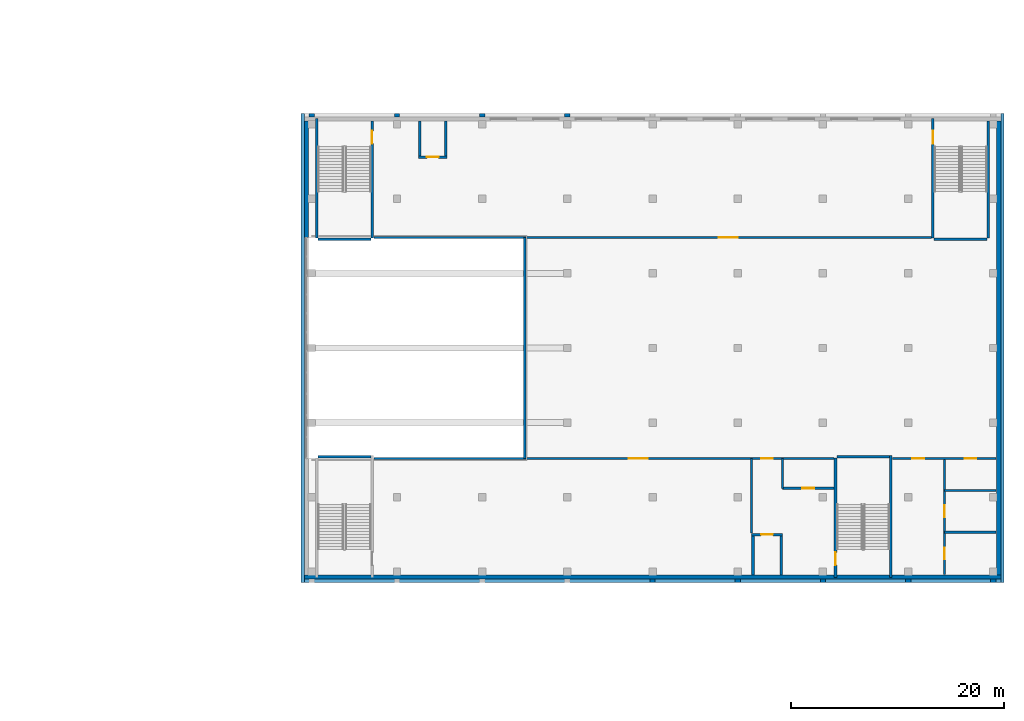
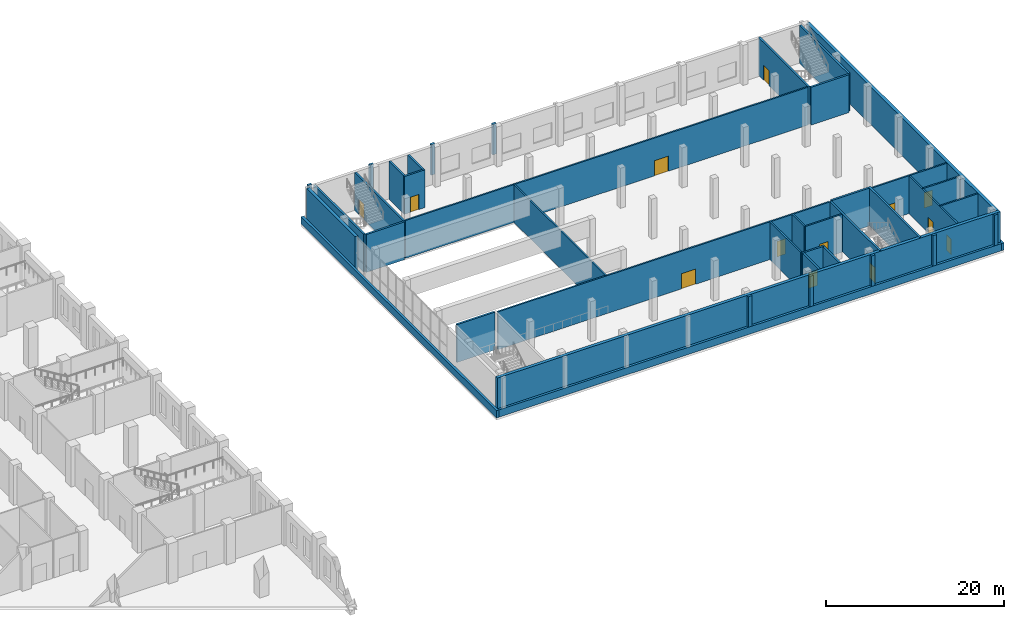
# One storey, part 14 of 35: 41 walls, 13 doors, 13 openings.
"""IFC4 building model written with IfcOpenShell, lengths in metres."""

import ifcopenshell
import ifcopenshell.guid

model = None  # the IFC model being written
_history = None  # IfcOwnerHistory: only IFC2X3 demands one
_inside = {}  # id of a spatial element -> (the spatial element, [elements in it])
_under = {}  # id of a project, library or spatial element -> (it, [spatial elements below it])
_declared = {}  # id of a project -> (the project, [libraries it declares])
_typed = {}  # id of a type object -> (the type object, [elements of that type])
_made_of = {}  # id of a material, layer set ... -> (it, [elements and type objects made of it])


def new_model(schema):
    """Start an empty IFC model of exactly this schema.

    Asked for "IFC4X3", IfcOpenShell would pick the latest addendum, in which some entities
    have other attributes; the version numbers below select the first issue.
    IFC2X3 requires an IfcOwnerHistory on every rooted entity: one is made here for all.
    """
    global model, _history
    if schema == "IFC4X3":
        model = ifcopenshell.file(schema_version=(4, 3, 0, 0))
    else:
        model = ifcopenshell.file(schema=schema)
    _inside.clear()
    _under.clear()
    _declared.clear()
    _typed.clear()
    _made_of.clear()
    _history = None
    if model.schema == "IFC2X3":
        org = make("IfcOrganization", Name="unknown")
        user = make(
            "IfcPersonAndOrganization",
            ThePerson=make("IfcPerson", FamilyName="unknown"),
            TheOrganization=org,
        )
        app = make(
            "IfcApplication",
            ApplicationDeveloper=org,
            Version="unknown",
            ApplicationFullName="unknown",
            ApplicationIdentifier="unknown",
        )
        _history = make(
            "IfcOwnerHistory",
            OwningUser=user,
            OwningApplication=app,
            ChangeAction="ADDED",
            CreationDate=0,
        )
    return model


def make(cls, **values):
    """One entity of the class cls with the attributes given. An attribute that is None is left unset."""
    return model.create_entity(
        cls, **{name: value for name, value in values.items() if value is not None}
    )


def rooted(cls, **values):
    """An entity with a GlobalId (a new one), such as an element, a storey or a relation."""
    return make(cls, GlobalId=ifcopenshell.guid.new(), OwnerHistory=_history, **values)


def si_unit(unit_type, name, prefix=None):
    """IfcSIUnit, for example si_unit("LENGTHUNIT", "METRE", prefix="MILLI")."""
    return make("IfcSIUnit", UnitType=unit_type, Prefix=prefix, Name=name)


def assignment(units):
    """IfcUnitAssignment: the units of a project."""
    return None if units is None else make("IfcUnitAssignment", Units=units)


def point(xyz):
    """IfcCartesianPoint."""
    return None if xyz is None else make("IfcCartesianPoint", Coordinates=xyz)


def direction(xyz):
    """IfcDirection."""
    return None if xyz is None else make("IfcDirection", DirectionRatios=xyz)


def frame(location, z_axis=None, x_axis=None):
    """IfcAxis2Placement3D, a coordinate frame: its origin and axes. An axis left out is left unset."""
    return make(
        "IfcAxis2Placement3D",
        Location=point(location),
        Axis=direction(z_axis),
        RefDirection=direction(x_axis),
    )


def frame_2d(location, x_axis=None):
    """IfcAxis2Placement2D, a coordinate frame in the plane: its origin and x axis."""
    return make(
        "IfcAxis2Placement2D", Location=point(location), RefDirection=direction(x_axis)
    )


def origin():
    """The frame at (0, 0, 0) with its axes left unset."""
    return frame((0.0, 0.0, 0.0))


def place(relative_to, where):
    """IfcLocalPlacement: puts the frame where relative to a parent placement (None: the world)."""
    return make(
        "IfcLocalPlacement", PlacementRelTo=relative_to, RelativePlacement=where
    )


def context(
    kind, dimensions, precision=None, world=None, true_north=None, identifier=None
):
    """IfcGeometricRepresentationContext, for example the 3D "Model" context."""
    return make(
        "IfcGeometricRepresentationContext",
        ContextIdentifier=identifier,
        ContextType=kind,
        CoordinateSpaceDimension=dimensions,
        Precision=precision,
        WorldCoordinateSystem=world,
        TrueNorth=true_north,
    )


def subcontext(parent, identifier, kind, view, scale=None):
    """IfcGeometricRepresentationSubContext, for example "Body" below "Model"."""
    return make(
        "IfcGeometricRepresentationSubContext",
        ContextIdentifier=identifier,
        ContextType=kind,
        ParentContext=parent,
        TargetScale=scale,
        TargetView=view,
    )


def project(units=None, contexts=None):
    """IfcProject with its units and contexts."""
    return rooted(
        "IfcProject",
        Name="project",
        RepresentationContexts=contexts,
        UnitsInContext=assignment(units),
    )


def spatial(cls, under=None, at=None, **own):
    """A site, building, storey or space (cls), placed at a placement, below another one or the project."""
    s = rooted(cls, ObjectPlacement=at, **own)
    if under is not None:
        _under.setdefault(under.id(), (under, []))[1].append(s)
    return s


def profile(cls, at=None, kind="AREA", **sizes):
    """A parametric profile (cls). Its sizes go by their IFC names, for example OverallWidth=200.0."""
    return make(cls, ProfileType=kind, Position=at, **sizes)


def rectangle(**sizes):
    """IfcRectangleProfileDef."""
    return profile("IfcRectangleProfileDef", **sizes)


def extrude(swept, where, along, depth):
    """IfcExtrudedAreaSolid: the profile swept, set in the frame where, extruded along a direction by depth."""
    return make(
        "IfcExtrudedAreaSolid",
        SweptArea=swept,
        Position=where,
        ExtrudedDirection=direction(along),
        Depth=depth,
    )


def shape(context_of_items, identifier, shape_type, items):
    """IfcShapeRepresentation: the items that make up one representation, for example the "Body"."""
    return make(
        "IfcShapeRepresentation",
        ContextOfItems=context_of_items,
        RepresentationIdentifier=identifier,
        RepresentationType=shape_type,
        Items=items,
    )


def material(Name=None, Category=None):
    """IfcMaterial."""
    return make("IfcMaterial", Name=Name, Category=Category)


def layer(
    of_material, thickness, ventilated=None, Name=None, Category=None, Priority=None
):
    """IfcMaterialLayer: one layer of a wall or slab, of a material (None: an air gap)."""
    return make(
        "IfcMaterialLayer",
        Material=of_material,
        LayerThickness=thickness,
        IsVentilated=ventilated,
        Name=Name,
        Category=Category,
        Priority=Priority,
    )


def layer_set(layers, Name=None):
    """IfcMaterialLayerSet."""
    return make("IfcMaterialLayerSet", MaterialLayers=layers, LayerSetName=Name)


def made_of(thing, what):
    """Note that an element or type object is made of a material, layer set ...; save() writes the relation."""
    if what is not None:
        _made_of.setdefault(what.id(), (what, []))[1].append(thing)
    return thing


def type_object(cls, material=None, **own):
    """A type object (cls), such as IfcWallType, which elements share."""
    return made_of(rooted(cls, **own), material)


def element(
    cls,
    number,
    at=None,
    inside=None,
    cuts=None,
    type_object=None,
    material=None,
    context=None,
    identifier="Body",
    shape_type=None,
    held_by="IfcProductDefinitionShape",
    body=None,
    shapes=None,
    **own,
):
    """One element of the class cls, such as IfcWall. Its Tag is "e" and its number.

    at: its placement. inside: the storey or other place that contains it. cuts: it is an
    opening in that element (IfcRelVoidsElement). A single representation is given by context,
    identifier, shape_type and body (its items); several are given by shapes. held_by: the class
    of the entity that holds the representations. save() writes the other relations.
    """
    e = rooted(cls, Tag="e%d" % number, ObjectPlacement=at, **own)
    if body is not None:
        shapes = [shape(context, identifier, shape_type, body)]
    if shapes is not None:
        e.Representation = make(held_by, Representations=shapes)
    if inside is not None:
        _inside.setdefault(inside.id(), (inside, []))[1].append(e)
    if cuts is not None:
        rooted(
            "IfcRelVoidsElement", RelatingBuildingElement=cuts, RelatedOpeningElement=e
        )
    if type_object is not None:
        _typed.setdefault(type_object.id(), (type_object, []))[1].append(e)
    return made_of(e, material)


def fill(opening, filler):
    """IfcRelFillsElement: the door or window that sits in an opening."""
    return rooted(
        "IfcRelFillsElement",
        RelatingOpeningElement=opening,
        RelatedBuildingElement=filler,
    )


def aggregate(whole, parts):
    """IfcRelAggregates: a whole, such as a stair, and the parts it consists of."""
    return rooted("IfcRelAggregates", RelatingObject=whole, RelatedObjects=parts)


def save(model, path):
    """Write the relations noted so far, then the file.

    IfcRelAggregates (storeys below a building ...), IfcRelContainedInSpatialStructure (elements
    in a storey), IfcRelDefinesByType, IfcRelAssociatesMaterial and IfcRelDeclares: one each for
    every whole, place, type object, material and project.
    """
    for whole, parts in _under.values():
        aggregate(whole, parts)
    for where, things in _inside.values():
        rooted(
            "IfcRelContainedInSpatialStructure",
            RelatedElements=things,
            RelatingStructure=where,
        )
    for kind, things in _typed.values():
        rooted("IfcRelDefinesByType", RelatedObjects=things, RelatingType=kind)
    for what, things in _made_of.values():
        rooted("IfcRelAssociatesMaterial", RelatedObjects=things, RelatingMaterial=what)
    for by, libraries in _declared.values():
        rooted("IfcRelDeclares", RelatingContext=by, RelatedDefinitions=libraries)
    model.write(path)


model = new_model("IFC4")

# Units and contexts
model_context = context("Model", 3, precision=1e-05, world=origin(), true_north=direction((0.0, 1.0)))
body_context = subcontext(model_context, "Body", "Model", "MODEL_VIEW")
ifc_project = project(units=[si_unit("LENGTHUNIT", "METRE"), si_unit("AREAUNIT", "SQUARE_METRE"), si_unit("VOLUMEUNIT", "CUBIC_METRE"), si_unit("PLANEANGLEUNIT", "RADIAN"), si_unit("MASSUNIT", "GRAM", prefix="KILO")], contexts=[model_context])

# Site, building, storey
site_placement = place(None, origin())
site = spatial("IfcSite", under=ifc_project, at=site_placement, CompositionType="ELEMENT")
building_placement = place(site_placement, origin())
building = spatial("IfcBuilding", under=site, at=building_placement, Name="Tamorin Gate", CompositionType="ELEMENT")
storey_placement = place(building_placement, frame((0.0, 0.0, 8.0)))
storey = spatial("IfcBuildingStorey", under=building, at=storey_placement, Name="L01", CompositionType="ELEMENT", Elevation=8.0)

# Wall, openings, doors
ifc_material_1 = material(Name="Dense blockwork, plastered", Category="masonry")
ifc_layer_1 = layer(ifc_material_1, 0.199951171875)
ifc_layer_set_1 = layer_set([ifc_layer_1], Name="Blockwork partition 200")
wall_type_1 = type_object("IfcWallType", Name="Blockwork partition 200", PredefinedType="PARTITIONING", material=ifc_layer_set_1)
wall_1_placement = place(storey_placement, frame((151.530029296875, 66.330078125, 0.0), z_axis=(0.0, 0.0, 1.0), x_axis=(1.0, 0.0, 0.0)))
wall_1 = element("IfcWall", 1, at=wall_1_placement, inside=storey, type_object=wall_type_1, Name="Partition", PredefinedType="PARTITIONING", context=body_context, shape_type="SweptSolid", body=[
    extrude(rectangle(XDim=43.18994140625, YDim=0.199951171875, at=frame_2d((21.594970703125, 0.0))), origin(), (0.0, 0.0, 1.0), 5.199951171875),
])
opening_1_placement = place(wall_1_placement, frame((23.919921875, 0.0, 0.0)))
opening_1 = element("IfcOpeningElement", 2, at=opening_1_placement, cuts=wall_1, Name="Opening DM69", PredefinedType="OPENING", context=body_context, shape_type="SweptSolid", body=[
    extrude(rectangle(XDim=1.800048828125, YDim=2.10009765625, at=frame_2d((0.89990234375, 1.050048828125))), frame((0.0, 0.10986328125, 0.0), z_axis=(0.0, -1.0, 0.0), x_axis=(1.0, 0.0, 0.0)), (0.0, 0.0, 1.0), 0.219970703125),
])
opening_2_placement = place(wall_1_placement, frame((36.3701171875, 0.0, 0.0)))
opening_2 = element("IfcOpeningElement", 3, at=opening_2_placement, cuts=wall_1, Name="Opening DM71", PredefinedType="OPENING", context=body_context, shape_type="SweptSolid", body=[
    extrude(rectangle(XDim=1.10009765625, YDim=2.10009765625, at=frame_2d((0.550048828125, 1.050048828125))), frame((0.0, 0.10986328125, 0.0), z_axis=(0.0, -1.0, 0.0), x_axis=(1.0, 0.0, 0.0)), (0.0, 0.0, 1.0), 0.219970703125),
])
ifc_material_2 = material(Name="Steel, painted", Category="steel")
door_type_1 = type_object("IfcDoorType", Name="Museum door 1100x2100", OperationType="SINGLE_SWING_LEFT", PredefinedType="DOOR", material=ifc_material_2)
door_1_placement = place(opening_2_placement, origin())
door_1 = element("IfcDoor", 4, at=door_1_placement, inside=storey, type_object=door_type_1, Name="Door Goods lobby", OperationType="SINGLE_SWING_RIGHT", OverallHeight=2.10009765625, OverallWidth=1.10009765625, PredefinedType="DOOR", context=body_context, shape_type="SweptSolid", body=[
    extrude(rectangle(XDim=1.10009765625, YDim=2.10009765625, at=frame_2d((0.550048828125, 1.050048828125))), frame((0.0, 0.02490234375, 0.0), z_axis=(0.0, -1.0, 0.0), x_axis=(1.0, 0.0, 0.0)), (0.0, 0.0, 1.0), 0.050048828125),
])
fill(opening_2, door_1)
door_type_2 = type_object("IfcDoorType", Name="Museum double door 1800x2100", OperationType="DOUBLE_DOOR_SINGLE_SWING", PredefinedType="DOOR", material=ifc_material_2)
door_2_placement = place(opening_1_placement, origin())
door_2 = element("IfcDoor", 5, at=door_2_placement, inside=storey, type_object=door_type_2, Name="Door Permanent gallery one introduction", OperationType="DOUBLE_DOOR_SINGLE_SWING", OverallHeight=2.10009765625, OverallWidth=1.800048828125, PredefinedType="DOOR", context=body_context, shape_type="SweptSolid", body=[
    extrude(rectangle(XDim=1.800048828125, YDim=2.10009765625, at=frame_2d((0.89990234375, 1.050048828125))), frame((0.0, 0.02490234375, 0.0), z_axis=(0.0, -1.0, 0.0), x_axis=(1.0, 0.0, 0.0)), (0.0, 0.0, 1.0), 0.050048828125),
])
fill(opening_1, door_2)

wall_2_placement = place(storey_placement, frame((200.22998046875, 66.330078125, 0.0), z_axis=(0.0, 0.0, 1.0), x_axis=(1.0, 0.0, 0.0)))
wall_2 = element("IfcWall", 6, at=wall_2_placement, inside=storey, type_object=wall_type_1, Name="Partition", PredefinedType="PARTITIONING", context=body_context, shape_type="SweptSolid", body=[
    extrude(rectangle(XDim=9.719970703125, YDim=0.199951171875, at=frame_2d((4.85986328125, 0.0))), origin(), (0.0, 0.0, 1.0), 5.199951171875),
])
opening_3_placement = place(wall_2_placement, frame((1.8701171875, 0.0, 0.0)))
opening_3 = element("IfcOpeningElement", 7, at=opening_3_placement, cuts=wall_2, Name="Opening DM72", PredefinedType="OPENING", context=body_context, shape_type="SweptSolid", body=[
    extrude(rectangle(XDim=1.10009765625, YDim=2.10009765625, at=frame_2d((0.550048828125, 1.050048828125))), frame((0.0, 0.10986328125, 0.0), z_axis=(0.0, -1.0, 0.0), x_axis=(1.0, 0.0, 0.0)), (0.0, 0.0, 1.0), 0.219970703125),
])
opening_4_placement = place(wall_2_placement, frame((6.77001953125, 0.0, 0.0)))
opening_4 = element("IfcOpeningElement", 8, at=opening_4_placement, cuts=wall_2, Name="Opening DM73", PredefinedType="OPENING", context=body_context, shape_type="SweptSolid", body=[
    extrude(rectangle(XDim=1.10009765625, YDim=2.10009765625, at=frame_2d((0.550048828125, 1.050048828125))), frame((0.0, 0.10986328125, 0.0), z_axis=(0.0, -1.0, 0.0), x_axis=(1.0, 0.0, 0.0)), (0.0, 0.0, 1.0), 0.219970703125),
])
door_3_placement = place(opening_3_placement, origin())
door_3 = element("IfcDoor", 9, at=door_3_placement, inside=storey, type_object=door_type_1, Name="Door Public WC", OperationType="SINGLE_SWING_LEFT", OverallHeight=2.10009765625, OverallWidth=1.10009765625, PredefinedType="DOOR", context=body_context, shape_type="SweptSolid", body=[
    extrude(rectangle(XDim=1.10009765625, YDim=2.10009765625, at=frame_2d((0.550048828125, 1.050048828125))), frame((0.0, 0.02490234375, 0.0), z_axis=(0.0, -1.0, 0.0), x_axis=(1.0, 0.0, 0.0)), (0.0, 0.0, 1.0), 0.050048828125),
])
fill(opening_3, door_3)
door_4_placement = place(opening_4_placement, origin())
door_4 = element("IfcDoor", 10, at=door_4_placement, inside=storey, type_object=door_type_1, Name="Door Accessible WC", OperationType="SINGLE_SWING_RIGHT", OverallHeight=2.10009765625, OverallWidth=1.10009765625, PredefinedType="DOOR", context=body_context, shape_type="SweptSolid", body=[
    extrude(rectangle(XDim=1.10009765625, YDim=2.10009765625, at=frame_2d((0.550048828125, 1.050048828125))), frame((0.0, 0.02490234375, 0.0), z_axis=(0.0, -1.0, 0.0), x_axis=(1.0, 0.0, 0.0)), (0.0, 0.0, 1.0), 0.050048828125),
])
fill(opening_4, door_4)

# Wall, opening, door
wall_3_placement = place(storey_placement, frame((189.89990234375, 63.530029296875, 0.0), z_axis=(0.0, 0.0, 1.0), x_axis=(1.0, 0.0, 0.0)))
wall_3 = element("IfcWall", 11, at=wall_3_placement, inside=storey, type_object=wall_type_1, Name="Partition", PredefinedType="PARTITIONING", context=body_context, shape_type="SweptSolid", body=[
    extrude(rectangle(XDim=4.820068359375, YDim=0.199951171875, at=frame_2d((2.41015625, 0.0))), origin(), (0.0, 0.0, 1.0), 5.199951171875),
])
opening_5_placement = place(wall_3_placement, frame((1.875, 0.0, 0.0)))
opening_5 = element("IfcOpeningElement", 12, at=opening_5_placement, cuts=wall_3, Name="Opening DM70", PredefinedType="OPENING", context=body_context, shape_type="SweptSolid", body=[
    extrude(rectangle(XDim=1.10009765625, YDim=2.10009765625, at=frame_2d((0.550048828125, 1.050048828125))), frame((0.0, 0.10986328125, 0.0), z_axis=(0.0, -1.0, 0.0), x_axis=(1.0, 0.0, 0.0)), (0.0, 0.0, 1.0), 0.219970703125),
])
door_5_placement = place(opening_5_placement, origin())
door_5 = element("IfcDoor", 13, at=door_5_placement, inside=storey, type_object=door_type_1, Name="Door Cleaner's store", OperationType="SINGLE_SWING_LEFT", OverallHeight=2.10009765625, OverallWidth=1.10009765625, PredefinedType="DOOR", context=body_context, shape_type="SweptSolid", body=[
    extrude(rectangle(XDim=1.10009765625, YDim=2.10009765625, at=frame_2d((0.550048828125, 1.050048828125))), frame((0.0, 0.02490234375, 0.0), z_axis=(0.0, -1.0, 0.0), x_axis=(1.0, 0.0, 0.0)), (0.0, 0.0, 1.0), 0.050048828125),
])
fill(opening_5, door_5)

# Walls
for number, where, z_axis, x_axis, name in (
    (14, (205.10009765625, 63.330078125, 0.0), (0.0, 0.0, 1.0), (1.0, 0.0, 0.0), "Partition"),
    (15, (205.10009765625, 59.39990234375, 0.0), (0.0, 0.0, 1.0), (1.0, 0.0, 0.0), "Partition"),
):
    element("IfcWall", number, at=place(storey_placement, frame(where, z_axis=z_axis, x_axis=x_axis)), inside=storey, type_object=wall_type_1, Name=name, PredefinedType="PARTITIONING", context=body_context, shape_type="SweptSolid", body=[
        extrude(rectangle(XDim=4.849853515625, YDim=0.199951171875, at=frame_2d((2.4248046875, 0.0))), origin(), (0.0, 0.0, 1.0), 5.199951171875),
    ])

# Wall, opening, door
wall_4_placement = place(storey_placement, frame((151.530029296875, 87.070068359375, 0.0), z_axis=(0.0, 0.0, 1.0), x_axis=(1.0, 0.0, 0.0)))
wall_4 = element("IfcWall", 16, at=wall_4_placement, inside=storey, type_object=wall_type_1, Name="Partition", PredefinedType="PARTITIONING", context=body_context, shape_type="SweptSolid", body=[
    extrude(rectangle(XDim=52.340087890625, YDim=0.199951171875, at=frame_2d((26.169921875, 0.0))), origin(), (0.0, 0.0, 1.0), 5.199951171875),
])
opening_6_placement = place(wall_4_placement, frame((32.3701171875, 0.0, 0.0)))
opening_6 = element("IfcOpeningElement", 17, at=opening_6_placement, cuts=wall_4, Name="Opening DM76", PredefinedType="OPENING", context=body_context, shape_type="SweptSolid", body=[
    extrude(rectangle(XDim=1.800048828125, YDim=2.10009765625, at=frame_2d((0.89990234375, 1.050048828125))), frame((0.0, 0.10986328125, 0.0), z_axis=(0.0, -1.0, 0.0), x_axis=(1.0, 0.0, 0.0)), (0.0, 0.0, 1.0), 0.219970703125),
])
door_6_placement = place(opening_6_placement, origin())
door_6 = element("IfcDoor", 18, at=door_6_placement, inside=storey, type_object=door_type_2, Name="Door Permanent gallery one", OperationType="DOUBLE_DOOR_SINGLE_SWING", OverallHeight=2.10009765625, OverallWidth=1.800048828125, PredefinedType="DOOR", context=body_context, shape_type="SweptSolid", body=[
    extrude(rectangle(XDim=1.800048828125, YDim=2.10009765625, at=frame_2d((0.89990234375, 1.050048828125))), frame((0.0, 0.02490234375, 0.0), z_axis=(0.0, -1.0, 0.0), x_axis=(1.0, 0.0, 0.0)), (0.0, 0.0, 1.0), 0.050048828125),
])
fill(opening_6, door_6)

# Walls
wall_5_placement = place(storey_placement, frame((187.0, 59.330078125, 0.0), z_axis=(0.0, 0.0, 1.0), x_axis=(0.0, 1.0, 0.0)))
element("IfcWall", 19, at=wall_5_placement, inside=storey, type_object=wall_type_1, Name="Partition", PredefinedType="PARTITIONING", context=body_context, shape_type="SweptSolid", body=[
    extrude(rectangle(XDim=7.0, YDim=0.199951171875, at=frame_2d((3.5, 0.0))), origin(), (0.0, 0.0, 1.0), 5.199951171875),
])
wall_6_placement = place(storey_placement, frame((189.89990234375, 63.530029296875, 0.0), z_axis=(0.0, 0.0, 1.0), x_axis=(0.0, 1.0, 0.0)))
element("IfcWall", 20, at=wall_6_placement, inside=storey, type_object=wall_type_1, Name="Partition", PredefinedType="PARTITIONING", context=body_context, shape_type="SweptSolid", body=[
    extrude(rectangle(XDim=2.800048828125, YDim=0.199951171875, at=frame_2d((1.39990234375, 0.0))), origin(), (0.0, 0.0, 1.0), 5.199951171875),
])

# Wall, openings, doors
wall_7_placement = place(storey_placement, frame((205.10009765625, 55.449951171875, 0.0), z_axis=(0.0, 0.0, 1.0), x_axis=(0.0, 1.0, 0.0)))
wall_7 = element("IfcWall", 21, at=wall_7_placement, inside=storey, type_object=wall_type_1, Name="Partition", PredefinedType="PARTITIONING", context=body_context, shape_type="SweptSolid", body=[
    extrude(rectangle(XDim=10.880126953125, YDim=0.199951171875, at=frame_2d((5.43994140625, 0.0))), origin(), (0.0, 0.0, 1.0), 5.199951171875),
])
opening_7_placement = place(wall_7_placement, frame((1.39990234375, 0.0, 0.0)))
opening_7 = element("IfcOpeningElement", 22, at=opening_7_placement, cuts=wall_7, Name="Opening DM74", PredefinedType="OPENING", context=body_context, shape_type="SweptSolid", body=[
    extrude(rectangle(XDim=1.10009765625, YDim=2.10009765625, at=frame_2d((0.550048828125, 1.050048828125))), frame((0.0, 0.10986328125, 0.0), z_axis=(0.0, -1.0, 0.0), x_axis=(1.0, 0.0, 0.0)), (0.0, 0.0, 1.0), 0.219970703125),
])
opening_8_placement = place(wall_7_placement, frame((5.364990234375, 0.0, 0.0)))
opening_8 = element("IfcOpeningElement", 23, at=opening_8_placement, cuts=wall_7, Name="Opening DM75", PredefinedType="OPENING", context=body_context, shape_type="SweptSolid", body=[
    extrude(rectangle(XDim=1.10009765625, YDim=2.10009765625, at=frame_2d((0.550048828125, 1.050048828125))), frame((0.0, 0.10986328125, 0.0), z_axis=(0.0, -1.0, 0.0), x_axis=(1.0, 0.0, 0.0)), (0.0, 0.0, 1.0), 0.219970703125),
])
door_7_placement = place(opening_7_placement, origin())
door_7 = element("IfcDoor", 24, at=door_7_placement, inside=storey, type_object=door_type_1, Name="Door Family changing room", OperationType="SINGLE_SWING_LEFT", OverallHeight=2.10009765625, OverallWidth=1.10009765625, PredefinedType="DOOR", context=body_context, shape_type="SweptSolid", body=[
    extrude(rectangle(XDim=1.10009765625, YDim=2.10009765625, at=frame_2d((0.550048828125, 1.050048828125))), frame((0.0, 0.02490234375, 0.0), z_axis=(0.0, -1.0, 0.0), x_axis=(1.0, 0.0, 0.0)), (0.0, 0.0, 1.0), 0.050048828125),
])
fill(opening_7, door_7)
door_8_placement = place(opening_8_placement, origin())
door_8 = element("IfcDoor", 25, at=door_8_placement, inside=storey, type_object=door_type_1, Name="Door Baby care room", OperationType="SINGLE_SWING_RIGHT", OverallHeight=2.10009765625, OverallWidth=1.10009765625, PredefinedType="DOOR", context=body_context, shape_type="SweptSolid", body=[
    extrude(rectangle(XDim=1.10009765625, YDim=2.10009765625, at=frame_2d((0.550048828125, 1.050048828125))), frame((0.0, 0.02490234375, 0.0), z_axis=(0.0, -1.0, 0.0), x_axis=(1.0, 0.0, 0.0)), (0.0, 0.0, 1.0), 0.050048828125),
])
fill(opening_8, door_8)

# Walls
wall_8_placement = place(storey_placement, frame((165.699951171875, 66.330078125, 0.0), z_axis=(0.0, 0.0, 1.0), x_axis=(0.0, 1.0, 0.0)))
element("IfcWall", 26, at=wall_8_placement, inside=storey, type_object=wall_type_1, Name="Partition", PredefinedType="PARTITIONING", context=body_context, shape_type="SweptSolid", body=[
    extrude(rectangle(XDim=20.739990234375, YDim=0.199951171875, at=frame_2d((10.3701171875, 0.0))), origin(), (0.0, 0.0, 1.0), 5.199951171875),
])
ifc_material_3 = material(Name="Concrete C40/50", Category="concrete")
ifc_layer_2 = layer(ifc_material_3, 0.39990234375)
ifc_layer_set_2 = layer_set([ifc_layer_2], Name="Board-marked concrete facade wall 400 C40/50")
wall_type_2 = type_object("IfcWallType", Name="Board-marked concrete facade wall 400 C40/50", PredefinedType="SOLIDWALL", material=ifc_layer_set_2)
wall_9_placement = place(storey_placement, frame((145.0, 55.199951171875, 0.0), z_axis=(0.0, 0.0, 1.0), x_axis=(1.0, 0.0, 0.0)))
element("IfcWall", 27, at=wall_9_placement, inside=storey, type_object=wall_type_2, Name="Facade wall", PredefinedType="SOLIDWALL", context=body_context, shape_type="SweptSolid", body=[
    extrude(rectangle(XDim=65.39990234375, YDim=0.39990234375, at=frame_2d((32.699951171875, 0.0))), origin(), (0.0, 0.0, 1.0), 5.199951171875),
])
wall_10_placement = place(storey_placement, frame((145.199951171875, 87.070068359375, 0.0), z_axis=(0.0, 0.0, 1.0), x_axis=(0.0, 1.0, 0.0)))
element("IfcWall", 28, at=wall_10_placement, inside=storey, type_object=wall_type_2, Name="Facade wall", PredefinedType="SOLIDWALL", context=body_context, shape_type="SweptSolid", body=[
    extrude(rectangle(XDim=10.929931640625, YDim=0.39990234375, at=frame_2d((5.46484375, 0.0))), origin(), (0.0, 0.0, 1.0), 5.199951171875),
])
wall_11_placement = place(storey_placement, frame((210.199951171875, 55.39990234375, 0.0), z_axis=(0.0, 0.0, 1.0), x_axis=(0.0, 1.0, 0.0)))
element("IfcWall", 29, at=wall_11_placement, inside=storey, type_object=wall_type_2, Name="Facade wall", PredefinedType="SOLIDWALL", context=body_context, shape_type="SweptSolid", body=[
    extrude(rectangle(XDim=42.60009765625, YDim=0.39990234375, at=frame_2d((21.300048828125, 0.0))), origin(), (0.0, 0.0, 1.0), 5.199951171875),
])
ifc_layer_3 = layer(ifc_material_3, 0.25)
ifc_layer_set_3 = layer_set([ifc_layer_3], Name="Museum stair and lift enclosure wall 250 C40/50")
wall_type_3 = type_object("IfcWallType", Name="Museum stair and lift enclosure wall 250 C40/50", PredefinedType="SHEAR", material=ifc_layer_set_3)
wall_12_placement = place(storey_placement, frame((146.175048828125, 87.0400390625, 0.0), z_axis=(0.0, 0.0, 1.0), x_axis=(0.0, 1.0, 0.0)))
element("IfcWall", 30, at=wall_12_placement, inside=storey, type_object=wall_type_3, Name="Stair PS6 wall", PredefinedType="SHEAR", context=body_context, shape_type="SweptSolid", body=[
    extrude(rectangle(XDim=11.2099609375, YDim=0.25, at=frame_2d((5.60498046875, 0.0))), origin(), (0.0, 0.0, 1.0), 5.199951171875),
])

# Wall, opening, door
wall_13_placement = place(storey_placement, frame((151.375, 87.0400390625, 0.0), z_axis=(0.0, 0.0, 1.0), x_axis=(0.0, 1.0, 0.0)))
wall_13 = element("IfcWall", 31, at=wall_13_placement, inside=storey, type_object=wall_type_3, Name="Stair PS6 wall", PredefinedType="SHEAR", context=body_context, shape_type="SweptSolid", body=[
    extrude(rectangle(XDim=10.9599609375, YDim=0.25, at=frame_2d((5.47998046875, 0.0))), origin(), (0.0, 0.0, 1.0), 5.199951171875),
])
opening_9_placement = place(wall_13_placement, frame((8.860107421875, 0.0, 0.0)))
opening_9 = element("IfcOpeningElement", 32, at=opening_9_placement, cuts=wall_13, Name="Opening DM3", PredefinedType="OPENING", context=body_context, shape_type="SweptSolid", body=[
    extrude(rectangle(XDim=1.199951171875, YDim=2.10009765625, at=frame_2d((0.60009765625, 1.050048828125))), frame((0.0, 0.135009765625, 0.0), z_axis=(0.0, -1.0, 0.0), x_axis=(1.0, 0.0, 0.0)), (0.0, 0.0, 1.0), 0.27001953125),
])
door_type_3 = type_object("IfcDoorType", Name="Museum stair door 1200x2100 FD90", OperationType="SINGLE_SWING_LEFT", PredefinedType="DOOR", material=ifc_material_2)
door_9_placement = place(opening_9_placement, origin())
door_9 = element("IfcDoor", 33, at=door_9_placement, inside=storey, type_object=door_type_3, Name="Stair door", OperationType="SINGLE_SWING_LEFT", OverallHeight=2.10009765625, OverallWidth=1.199951171875, PredefinedType="DOOR", context=body_context, shape_type="SweptSolid", body=[
    extrude(rectangle(XDim=1.199951171875, YDim=2.10009765625, at=frame_2d((0.60009765625, 1.050048828125))), frame((0.0, 0.02490234375, 0.0), z_axis=(0.0, -1.0, 0.0), x_axis=(1.0, 0.0, 0.0)), (0.0, 0.0, 1.0), 0.050048828125),
])
fill(opening_9, door_9)

# Wall
wall_14_placement = place(storey_placement, frame((146.300048828125, 86.9150390625, 0.0), z_axis=(0.0, 0.0, 1.0), x_axis=(1.0, 0.0, 0.0)))
element("IfcWall", 34, at=wall_14_placement, inside=storey, type_object=wall_type_3, Name="Stair PS6 wall", PredefinedType="SHEAR", context=body_context, shape_type="SweptSolid", body=[
    extrude(rectangle(XDim=4.949951171875, YDim=0.25, at=frame_2d((2.47509765625, 0.0))), origin(), (0.0, 0.0, 1.0), 5.199951171875),
])

# Wall, opening, door
wall_15_placement = place(storey_placement, frame((194.875, 55.14990234375, 0.0), z_axis=(0.0, 0.0, 1.0), x_axis=(0.0, 1.0, 0.0)))
wall_15 = element("IfcWall", 35, at=wall_15_placement, inside=storey, type_object=wall_type_3, Name="Stair PS7 wall", PredefinedType="SHEAR", context=body_context, shape_type="SweptSolid", body=[
    extrude(rectangle(XDim=11.210205078125, YDim=0.25, at=frame_2d((5.60498046875, 0.0))), origin(), (0.0, 0.0, 1.0), 5.199951171875),
])
opening_10_placement = place(wall_15_placement, frame((1.14990234375, 0.0, 0.0)))
opening_10 = element("IfcOpeningElement", 36, at=opening_10_placement, cuts=wall_15, Name="Opening DM9", PredefinedType="OPENING", context=body_context, shape_type="SweptSolid", body=[
    extrude(rectangle(XDim=1.199951171875, YDim=2.10009765625, at=frame_2d((0.60009765625, 1.050048828125))), frame((0.0, 0.135009765625, 0.0), z_axis=(0.0, -1.0, 0.0), x_axis=(1.0, 0.0, 0.0)), (0.0, 0.0, 1.0), 0.27001953125),
])
door_10_placement = place(opening_10_placement, origin())
door_10 = element("IfcDoor", 37, at=door_10_placement, inside=storey, type_object=door_type_3, Name="Stair door", OperationType="SINGLE_SWING_LEFT", OverallHeight=2.10009765625, OverallWidth=1.199951171875, PredefinedType="DOOR", context=body_context, shape_type="SweptSolid", body=[
    extrude(rectangle(XDim=1.199951171875, YDim=2.10009765625, at=frame_2d((0.60009765625, 1.050048828125))), frame((0.0, 0.02490234375, 0.0), z_axis=(0.0, -1.0, 0.0), x_axis=(1.0, 0.0, 0.0)), (0.0, 0.0, 1.0), 0.050048828125),
])
fill(opening_10, door_10)

# Walls
wall_16_placement = place(storey_placement, frame((200.074951171875, 55.14990234375, 0.0), z_axis=(0.0, 0.0, 1.0), x_axis=(0.0, 1.0, 0.0)))
element("IfcWall", 38, at=wall_16_placement, inside=storey, type_object=wall_type_3, Name="Stair PS7 wall", PredefinedType="SHEAR", context=body_context, shape_type="SweptSolid", body=[
    extrude(rectangle(XDim=11.460205078125, YDim=0.25, at=frame_2d((5.72998046875, 0.0))), origin(), (0.0, 0.0, 1.0), 5.199951171875),
])
for number, where, z_axis, x_axis, name in (
    (39, (195.0, 66.485107421875, 0.0), (0.0, 0.0, 1.0), (1.0, 0.0, 0.0), "Stair PS7 wall"),
    (40, (146.300048828125, 66.485107421875, 0.0), (0.0, 0.0, 1.0), (1.0, 0.0, 0.0), "Stair PS8 wall"),
):
    element("IfcWall", number, at=place(storey_placement, frame(where, z_axis=z_axis, x_axis=x_axis)), inside=storey, type_object=wall_type_3, Name=name, PredefinedType="SHEAR", context=body_context, shape_type="SweptSolid", body=[
        extrude(rectangle(XDim=4.949951171875, YDim=0.25, at=frame_2d((2.47509765625, 0.0))), origin(), (0.0, 0.0, 1.0), 5.199951171875),
    ])

# Wall, opening, door
wall_17_placement = place(storey_placement, frame((204.02490234375, 87.0400390625, 0.0), z_axis=(0.0, 0.0, 1.0), x_axis=(0.0, 1.0, 0.0)))
wall_17 = element("IfcWall", 41, at=wall_17_placement, inside=storey, type_object=wall_type_3, Name="Stair PS9 wall", PredefinedType="SHEAR", context=body_context, shape_type="SweptSolid", body=[
    extrude(rectangle(XDim=11.2099609375, YDim=0.25, at=frame_2d((5.60498046875, 0.0))), origin(), (0.0, 0.0, 1.0), 5.199951171875),
])
opening_11_placement = place(wall_17_placement, frame((8.860107421875, 0.0, 0.0)))
opening_11 = element("IfcOpeningElement", 42, at=opening_11_placement, cuts=wall_17, Name="Opening DM21", PredefinedType="OPENING", context=body_context, shape_type="SweptSolid", body=[
    extrude(rectangle(XDim=1.199951171875, YDim=2.10009765625, at=frame_2d((0.60009765625, 1.050048828125))), frame((0.0, 0.135009765625, 0.0), z_axis=(0.0, -1.0, 0.0), x_axis=(1.0, 0.0, 0.0)), (0.0, 0.0, 1.0), 0.27001953125),
])
door_11_placement = place(opening_11_placement, origin())
door_11 = element("IfcDoor", 43, at=door_11_placement, inside=storey, type_object=door_type_3, Name="Stair door", OperationType="SINGLE_SWING_LEFT", OverallHeight=2.10009765625, OverallWidth=1.199951171875, PredefinedType="DOOR", context=body_context, shape_type="SweptSolid", body=[
    extrude(rectangle(XDim=1.199951171875, YDim=2.10009765625, at=frame_2d((0.60009765625, 1.050048828125))), frame((0.0, 0.02490234375, 0.0), z_axis=(0.0, -1.0, 0.0), x_axis=(1.0, 0.0, 0.0)), (0.0, 0.0, 1.0), 0.050048828125),
])
fill(opening_11, door_11)

# Walls
wall_18_placement = place(storey_placement, frame((209.22509765625, 87.0400390625, 0.0), z_axis=(0.0, 0.0, 1.0), x_axis=(0.0, 1.0, 0.0)))
element("IfcWall", 44, at=wall_18_placement, inside=storey, type_object=wall_type_3, Name="Stair PS9 wall", PredefinedType="SHEAR", context=body_context, shape_type="SweptSolid", body=[
    extrude(rectangle(XDim=10.9599609375, YDim=0.25, at=frame_2d((5.47998046875, 0.0))), origin(), (0.0, 0.0, 1.0), 5.199951171875),
])
wall_19_placement = place(storey_placement, frame((204.14990234375, 86.9150390625, 0.0), z_axis=(0.0, 0.0, 1.0), x_axis=(1.0, 0.0, 0.0)))
element("IfcWall", 45, at=wall_19_placement, inside=storey, type_object=wall_type_3, Name="Stair PS9 wall", PredefinedType="SHEAR", context=body_context, shape_type="SweptSolid", body=[
    extrude(rectangle(XDim=4.9501953125, YDim=0.25, at=frame_2d((2.47509765625, 0.0))), origin(), (0.0, 0.0, 1.0), 5.199951171875),
])

# Wall, opening, door
wall_20_placement = place(storey_placement, frame((155.699951171875, 94.625, 0.0), z_axis=(0.0, 0.0, 1.0), x_axis=(1.0, 0.0, 0.0)))
wall_20 = element("IfcWall", 46, at=wall_20_placement, inside=storey, type_object=wall_type_3, Name="Lift shaft LM1", PredefinedType="SHEAR", context=body_context, shape_type="SweptSolid", body=[
    extrude(rectangle(XDim=2.699951171875, YDim=0.25, at=frame_2d((1.35009765625, 0.0))), origin(), (0.0, 0.0, 1.0), 5.199951171875),
])
opening_12_placement = place(wall_20_placement, frame((0.800048828125, 0.0, 0.0)))
opening_12 = element("IfcOpeningElement", 47, at=opening_12_placement, cuts=wall_20, Name="Opening LD24", PredefinedType="OPENING", context=body_context, shape_type="SweptSolid", body=[
    extrude(rectangle(XDim=1.10009765625, YDim=2.10009765625, at=frame_2d((0.550048828125, 1.050048828125))), frame((0.0, 0.135009765625, 0.0), z_axis=(0.0, -1.0, 0.0), x_axis=(1.0, 0.0, 0.0)), (0.0, 0.0, 1.0), 0.27001953125),
])
ifc_material_4 = material(Name="Stainless steel", Category="steel")
door_type_4 = type_object("IfcDoorType", Name="Museum lift landing door 1100x2100", OperationType="DOUBLE_DOOR_SLIDING", PredefinedType="DOOR", material=ifc_material_4)
door_12_placement = place(opening_12_placement, origin())
door_12 = element("IfcDoor", 48, at=door_12_placement, inside=storey, type_object=door_type_4, Name="Lift landing door", OperationType="DOUBLE_DOOR_SLIDING", OverallHeight=2.10009765625, OverallWidth=1.10009765625, PredefinedType="DOOR", context=body_context, shape_type="SweptSolid", body=[
    extrude(rectangle(XDim=1.10009765625, YDim=2.10009765625, at=frame_2d((0.550048828125, 1.050048828125))), frame((0.0, 0.02490234375, 0.0), z_axis=(0.0, -1.0, 0.0), x_axis=(1.0, 0.0, 0.0)), (0.0, 0.0, 1.0), 0.050048828125),
])
fill(opening_12, door_12)

# Walls
for number, where, z_axis, x_axis, name in (
    (49, (155.824951171875, 94.75, 0.0), (0.0, 0.0, 1.0), (0.0, 1.0, 0.0), "Lift shaft LM1"),
    (50, (158.27490234375, 94.75, 0.0), (0.0, 0.0, 1.0), (0.0, 1.0, 0.0), "Lift shaft LM1"),
):
    element("IfcWall", number, at=place(storey_placement, frame(where, z_axis=z_axis, x_axis=x_axis)), inside=storey, type_object=wall_type_3, Name=name, PredefinedType="SHEAR", context=body_context, shape_type="SweptSolid", body=[
        extrude(rectangle(XDim=3.25, YDim=0.25, at=frame_2d((1.625, 0.0))), origin(), (0.0, 0.0, 1.0), 5.199951171875),
    ])

# Wall, opening, door
wall_21_placement = place(storey_placement, frame((187.0, 59.175048828125, 0.0), z_axis=(0.0, 0.0, 1.0), x_axis=(1.0, 0.0, 0.0)))
wall_21 = element("IfcWall", 51, at=wall_21_placement, inside=storey, type_object=wall_type_3, Name="Lift shaft LM2", PredefinedType="SHEAR", context=body_context, shape_type="SweptSolid", body=[
    extrude(rectangle(XDim=2.89990234375, YDim=0.25, at=frame_2d((1.449951171875, 0.0))), origin(), (0.0, 0.0, 1.0), 5.199951171875),
])
opening_13_placement = place(wall_21_placement, frame((0.89990234375, 0.0, 0.0)))
opening_13 = element("IfcOpeningElement", 52, at=opening_13_placement, cuts=wall_21, Name="Opening LD24", PredefinedType="OPENING", context=body_context, shape_type="SweptSolid", body=[
    extrude(rectangle(XDim=1.10009765625, YDim=2.10009765625, at=frame_2d((0.550048828125, 1.050048828125))), frame((0.0, 0.135009765625, 0.0), z_axis=(0.0, -1.0, 0.0), x_axis=(1.0, 0.0, 0.0)), (0.0, 0.0, 1.0), 0.27001953125),
])
door_13_placement = place(opening_13_placement, origin())
door_13 = element("IfcDoor", 53, at=door_13_placement, inside=storey, type_object=door_type_4, Name="Lift landing door", OperationType="DOUBLE_DOOR_SLIDING", OverallHeight=2.10009765625, OverallWidth=1.10009765625, PredefinedType="DOOR", context=body_context, shape_type="SweptSolid", body=[
    extrude(rectangle(XDim=1.10009765625, YDim=2.10009765625, at=frame_2d((0.550048828125, 1.050048828125))), frame((0.0, 0.02490234375, 0.0), z_axis=(0.0, -1.0, 0.0), x_axis=(1.0, 0.0, 0.0)), (0.0, 0.0, 1.0), 0.050048828125),
])
fill(opening_13, door_13)

# Walls
for number, where, z_axis, x_axis, name in (
    (54, (187.125, 55.39990234375, 0.0), (0.0, 0.0, 1.0), (0.0, 1.0, 0.0), "Lift shaft LM2"),
    (55, (189.77490234375, 55.39990234375, 0.0), (0.0, 0.0, 1.0), (0.0, 1.0, 0.0), "Lift shaft LM2"),
):
    element("IfcWall", number, at=place(storey_placement, frame(where, z_axis=z_axis, x_axis=x_axis)), inside=storey, type_object=wall_type_3, Name=name, PredefinedType="SHEAR", context=body_context, shape_type="SweptSolid", body=[
        extrude(rectangle(XDim=3.650146484375, YDim=0.25, at=frame_2d((1.8251953125, 0.0))), origin(), (0.0, 0.0, 1.0), 5.199951171875),
    ])
ifc_layer_4 = layer(ifc_material_3, 0.300048828125)
ifc_layer_set_4 = layer_set([ifc_layer_4], Name="Precast concrete band wall 300 C40/50")
wall_type_4 = type_object("IfcWallType", Name="Precast concrete band wall 300 C40/50", PredefinedType="STANDARD", material=ifc_layer_set_4)
wall_22_placement = place(storey_placement, frame((145.0, 54.85009765625, 0.0), z_axis=(0.0, 0.0, 1.0), x_axis=(1.0, 0.0, 0.0)))
element("IfcWall", 56, at=wall_22_placement, inside=storey, type_object=wall_type_4, Name="Precast band", PredefinedType="STANDARD", context=body_context, shape_type="SweptSolid", body=[
    extrude(rectangle(XDim=65.39990234375, YDim=0.300048828125, at=frame_2d((32.699951171875, 0.0))), origin(), (0.0, 0.0, 1.0), 1.0),
])
for number, where, z_axis, x_axis, name in (
    (57, (144.85009765625, 54.699951171875, 0.0), (0.0, 0.0, 1.0), (0.0, 1.0, 0.0), "Precast band"),
    (58, (210.550048828125, 54.699951171875, 0.0), (0.0, 0.0, 1.0), (0.0, 1.0, 0.0), "Precast band"),
):
    element("IfcWall", number, at=place(storey_placement, frame(where, z_axis=z_axis, x_axis=x_axis)), inside=storey, type_object=wall_type_4, Name=name, PredefinedType="STANDARD", context=body_context, shape_type="SweptSolid", body=[
        extrude(rectangle(XDim=44.0, YDim=0.300048828125, at=frame_2d((22.0, 0.0))), origin(), (0.0, 0.0, 1.0), 1.0),
    ])
ifc_layer_5 = layer(ifc_material_3, 0.5)
ifc_layer_set_5 = layer_set([ifc_layer_5], Name="Precast rib wall 500 C40/50")
wall_type_5 = type_object("IfcWallType", Name="Precast rib wall 500 C40/50", PredefinedType="STANDARD", material=ifc_layer_set_5)
for number, where, z_axis, x_axis, name in (
    (59, (145.699951171875, 98.39990234375, 1.0), (0.0, 0.0, 1.0), (0.0, 1.0, 0.0), "Precast rib"),
    (60, (153.699951171875, 98.39990234375, 1.0), (0.0, 0.0, 1.0), (0.0, 1.0, 0.0), "Precast rib"),
    (61, (161.699951171875, 98.39990234375, 1.0), (0.0, 0.0, 1.0), (0.0, 1.0, 0.0), "Precast rib"),
    (62, (169.699951171875, 98.39990234375, 1.0), (0.0, 0.0, 1.0), (0.0, 1.0, 0.0), "Precast rib"),
    (63, (177.699951171875, 54.699951171875, 1.0), (0.0, 0.0, 1.0), (0.0, 1.0, 0.0), "Precast rib"),
    (64, (185.699951171875, 54.699951171875, 1.0), (0.0, 0.0, 1.0), (0.0, 1.0, 0.0), "Precast rib"),
    (65, (193.699951171875, 54.699951171875, 1.0), (0.0, 0.0, 1.0), (0.0, 1.0, 0.0), "Precast rib"),
    (66, (201.699951171875, 54.699951171875, 1.0), (0.0, 0.0, 1.0), (0.0, 1.0, 0.0), "Precast rib"),
    (67, (209.699951171875, 54.699951171875, 1.0), (0.0, 0.0, 1.0), (0.0, 1.0, 0.0), "Precast rib"),
):
    element("IfcWall", number, at=place(storey_placement, frame(where, z_axis=z_axis, x_axis=x_axis)), inside=storey, type_object=wall_type_5, Name=name, PredefinedType="STANDARD", context=body_context, shape_type="SweptSolid", body=[
        extrude(rectangle(XDim=0.300048828125, YDim=0.5, at=frame_2d((0.14990234375, 0.0))), origin(), (0.0, 0.0, 1.0), 4.199951171875),
    ])

save(model, "model.ifc")
